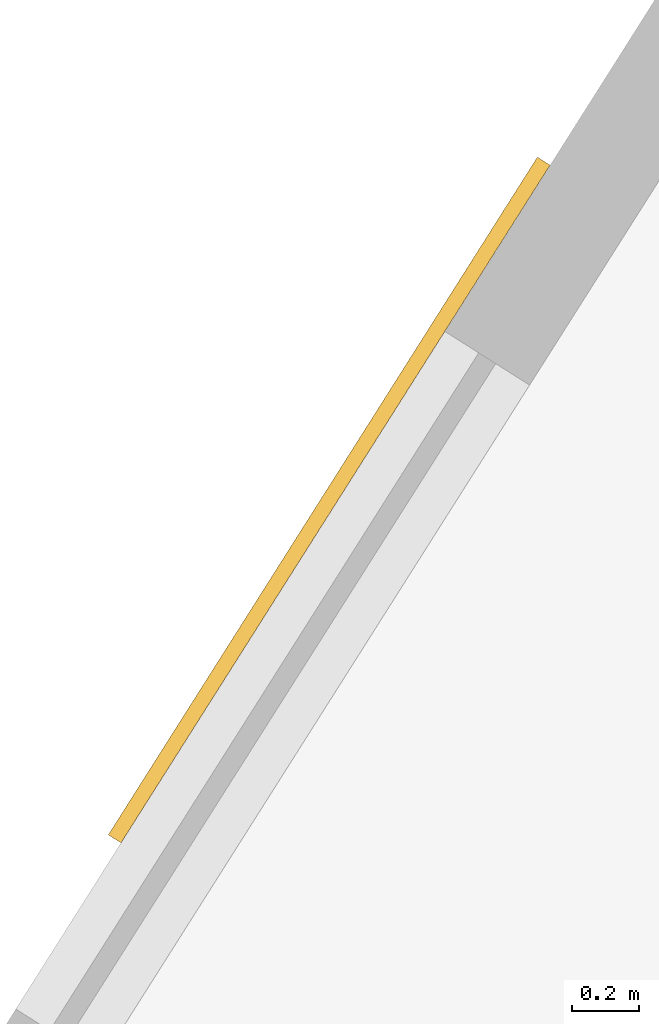
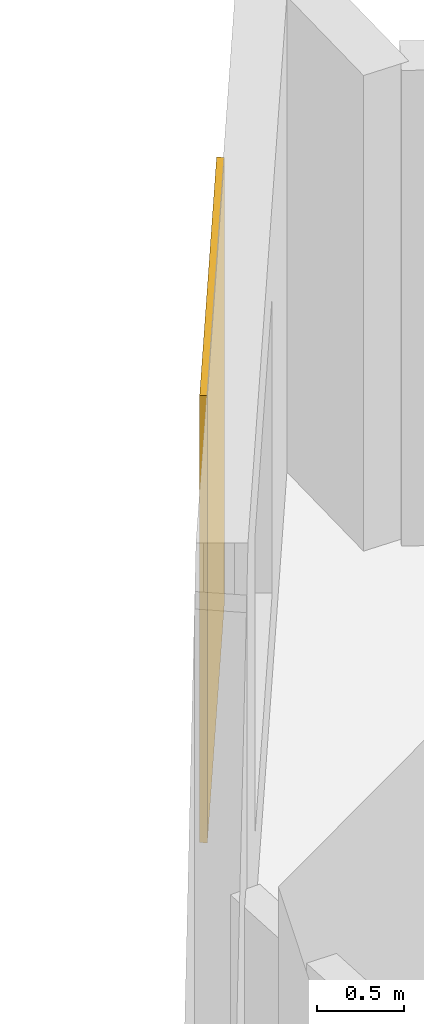
# One storey, part 11 of 11: 1 covering.
"""IFC4 building model written with IfcOpenShell, lengths in metres."""

from ifc_helpers import new_model, si_unit, direction, frame, origin, origin_2d, place, context, subcontext, project, spatial, rectangle, extrude, material, layer, layer_set, type_object, element, save


model = new_model("IFC4")

# Units and contexts
model_context = context("Model", 3, precision=1e-05, world=origin(), true_north=direction((0.0, 1.0)))
body_context = subcontext(model_context, "Body", "Model", "MODEL_VIEW")
ifc_project = project(units=[si_unit("LENGTHUNIT", "METRE"), si_unit("AREAUNIT", "SQUARE_METRE"), si_unit("VOLUMEUNIT", "CUBIC_METRE"), si_unit("PLANEANGLEUNIT", "RADIAN"), si_unit("MASSUNIT", "GRAM", prefix="KILO")], contexts=[model_context])

# Site, building, storey
site_placement = place(None, origin())
site = spatial("IfcSite", under=ifc_project, at=site_placement, CompositionType="ELEMENT")
building_placement = place(site_placement, origin())
building = spatial("IfcBuilding", under=site, at=building_placement, Name="Almagre Mirador Tower", CompositionType="ELEMENT")
storey_placement = place(building_placement, frame((0.0, 0.0, 128.39990234375)))
storey = spatial("IfcBuildingStorey", under=building, at=storey_placement, Name="L32", CompositionType="ELEMENT", Elevation=128.39990234375)

# Covering
ifc_material = material(Name="Almagre terracotta architectural cladding", Category="masonry")
ifc_layer = layer(ifc_material, 0.044921875)
ifc_layer_set = layer_set([ifc_layer], Name="Almagre terracotta architectural cladding")
covering_type = type_object("IfcCoveringType", Name="COV-CLAD-ALMAGRE", PredefinedType="CLADDING", material=ifc_layer_set)
covering_placement = place(storey_placement, frame((33.19091796875, 39.388671875, 0.10009765625), z_axis=(0.0, 0.0, 1.0), x_axis=(0.534898084209, 0.844916587309, 0.0)))
element("IfcCovering", 1, at=covering_placement, inside=storey, type_object=covering_type, Name="L32 almagre terracotta pier cladding", PredefinedType="CLADDING", context=body_context, shape_type="SweptSolid", body=[
    extrude(rectangle(XDim=2.39990234375, YDim=0.044921875, at=origin_2d()), origin(), (0.0, 0.0, 1.0), 3.14990234375),
])

save(model, "model.ifc")
